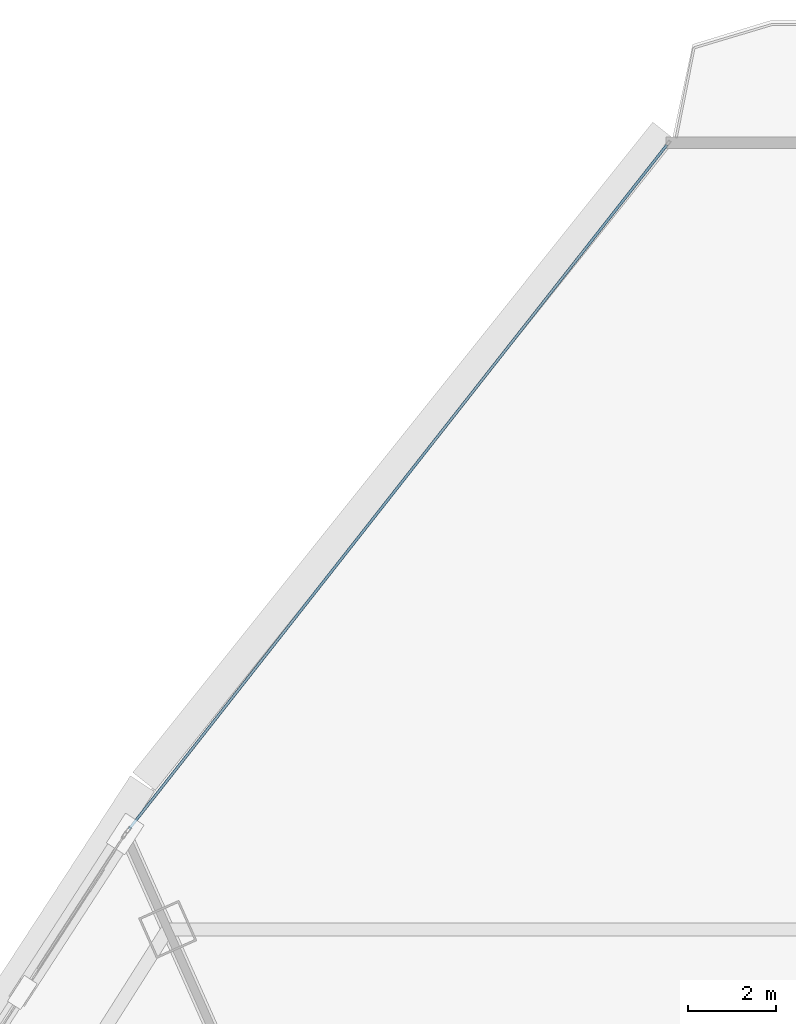
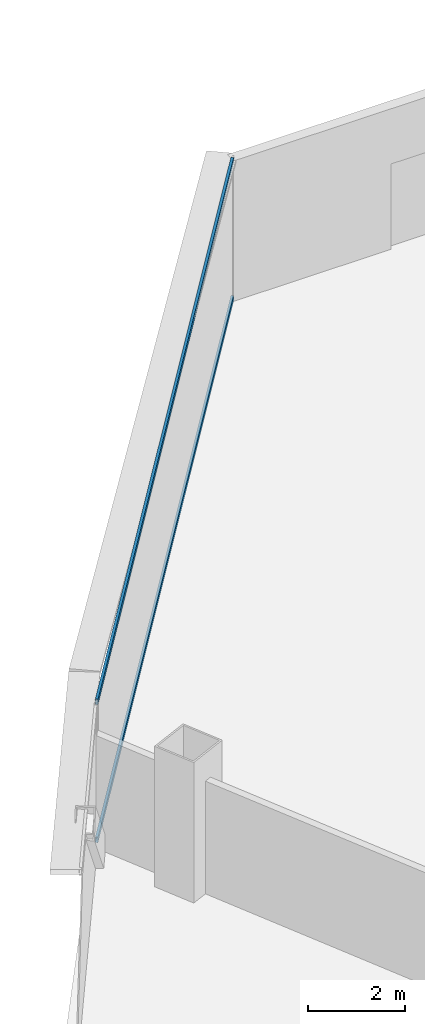
# One storey, part 26 of 38: 2 members, 1 element without a shape of its own.
"""IFC4 building model written with IfcOpenShell, lengths in metres."""

from ifc_helpers import new_model, si_unit, direction, frame, origin, origin_2d, place, context, subcontext, project, spatial, hollow_rectangle, extrude, source, transform, mapped, material, layer, layer_set, material_profile, profile_set, type_object, element, aggregate, save


model = new_model("IFC4")

# Units and contexts
model_context = context("Model", 3, precision=1e-05, world=origin(), true_north=direction((0.0, 1.0)))
body_context = subcontext(model_context, "Body", "Model", "MODEL_VIEW")
ifc_project = project(units=[si_unit("LENGTHUNIT", "METRE"), si_unit("AREAUNIT", "SQUARE_METRE"), si_unit("VOLUMEUNIT", "CUBIC_METRE"), si_unit("PLANEANGLEUNIT", "RADIAN"), si_unit("MASSUNIT", "GRAM", prefix="KILO"), si_unit("THERMODYNAMICTEMPERATUREUNIT", "KELVIN"), si_unit("POWERUNIT", "WATT")], contexts=[model_context])

# Site, building, storey
site_placement = place(None, origin())
site = spatial("IfcSite", under=ifc_project, at=site_placement, CompositionType="ELEMENT")
building_placement = place(site_placement, origin())
building = spatial("IfcBuilding", under=site, at=building_placement, Name="Yunzhuo Pagoda Commons", CompositionType="ELEMENT")
storey_placement = place(building_placement, frame((0.0, 0.0, 81.179931640625)))
storey = spatial("IfcBuildingStorey", under=building, at=storey_placement, Name="L20", CompositionType="ELEMENT", Elevation=81.179931640625)

# Curtain wall, members
ifc_material = material(Name="Anodized aluminium 6063-T6", Category="aluminium")
ifc_layer = layer(ifc_material, 0.1650390625)
ifc_layer_set = layer_set([ifc_layer], Name="Anodized aluminium 6063-T6")
curtain_wall_type = type_object("IfcCurtainWallType", Name="CW-LOW Low-Zone Ribbon Curtain Wall", PredefinedType="NOTDEFINED", material=ifc_layer_set)
curtain_wall_placement = place(storey_placement, origin())
curtain_wall = element("IfcCurtainWall", 1, at=curtain_wall_placement, inside=storey, type_object=curtain_wall_type, Name="L20 curtain wall CW-L20-F3B1", PredefinedType="NOTDEFINED")
ifc_material_profile = material_profile(ifc_material, hollow_rectangle(XDim=0.06005859375, YDim=0.139892578125, WallThickness=0.00341796875, at=origin_2d()), Name="Anodized aluminium 6063-T6")
ifc_profile_set = profile_set([ifc_material_profile], Name="Anodized aluminium 6063-T6")
member_type = type_object("IfcMemberType", Name="CW-LOW-T Transom RHS 140x60x3.5", PredefinedType="USERDEFINED", material=ifc_profile_set)
shared_shape = source(origin(), body_context, "Body", "SweptSolid", [
    extrude(hollow_rectangle(XDim=0.06005859375, YDim=0.139892578125, WallThickness=0.00341796875, at=origin_2d()), origin(), (0.0, 0.0, 1.0), 19.706298828125),
])
member_1_placement = place(storey_placement, frame((43.3623046875, 87.268798828125, 0.030029296875), z_axis=(-0.61806117369, -0.786130005519, 0.0), x_axis=(0.786130005519, -0.61806117369, 0.0)))
member_1 = element("IfcMember", 2, at=member_1_placement, type_object=member_type, Name="CW transom 1.1", ObjectType="TRANSOM", PredefinedType="USERDEFINED", context=body_context, shape_type="MappedRepresentation", body=[
    mapped(shared_shape, transform((0.0, 0.0, 0.0), scale=1.0)),
])
member_2_placement = place(storey_placement, frame((43.3623046875, 87.268798828125, 3.510009765625), z_axis=(-0.61806117369, -0.786130005519, 0.0), x_axis=(0.786130005519, -0.61806117369, 0.0)))
member_2 = element("IfcMember", 3, at=member_2_placement, type_object=member_type, Name="CW transom 1.2", ObjectType="TRANSOM", PredefinedType="USERDEFINED", context=body_context, shape_type="MappedRepresentation", body=[
    mapped(shared_shape, transform((0.0, 0.0, 0.0), scale=1.0)),
])
aggregate(curtain_wall, [member_1, member_2])

save(model, "model.ifc")
